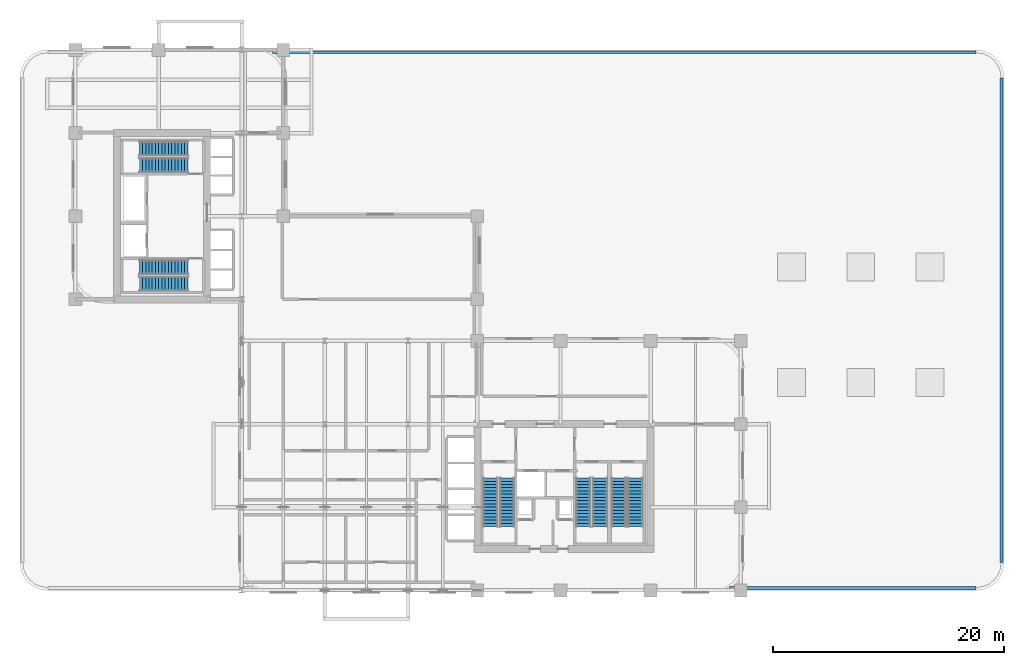
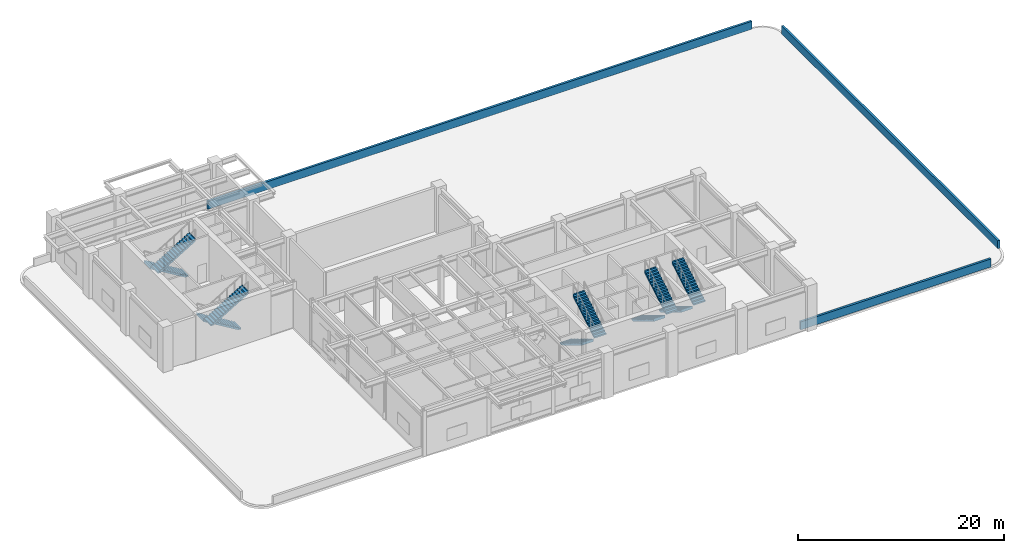
# One storey, part 9 of 14: 10 stair flights, 3 walls, 5 elements without a shape of their own.
"""IFC4 building model written with IfcOpenShell, lengths in metres."""

from ifc_helpers import new_model, si_unit, derived_unit, direction, frame, frame_2d, origin, place, context, subcontext, project, spatial, polyline, rectangle, outline, extrude, source, transform, mapped, material, layer, layer_set, type_object, element, aggregate, save


model = new_model("IFC4")

# Units and contexts
model_context = context("Model", 3, precision=1e-05, world=origin(), true_north=direction((0.0, 1.0)))
body_context = subcontext(model_context, "Body", "Model", "MODEL_VIEW")
ifc_project = project(units=[si_unit("LENGTHUNIT", "METRE"), si_unit("AREAUNIT", "SQUARE_METRE"), si_unit("VOLUMEUNIT", "CUBIC_METRE"), si_unit("PLANEANGLEUNIT", "RADIAN"), si_unit("MASSUNIT", "GRAM", prefix="KILO"), si_unit("THERMODYNAMICTEMPERATUREUNIT", "KELVIN"), si_unit("POWERUNIT", "WATT"), derived_unit("THERMALTRANSMITTANCEUNIT", [(si_unit("POWERUNIT", "WATT"), 1), (si_unit("AREAUNIT", "SQUARE_METRE"), -1), (si_unit("THERMODYNAMICTEMPERATUREUNIT", "KELVIN"), -1)])], contexts=[model_context])

# Site, building, storey
site_placement = place(None, origin())
site = spatial("IfcSite", under=ifc_project, at=site_placement, CompositionType="ELEMENT")
building_placement = place(site_placement, origin())
building = spatial("IfcBuilding", under=site, at=building_placement, Name="Zahravan Archway Hotel and Residences", CompositionType="ELEMENT")
storey_placement = place(building_placement, frame((0.0, 0.0, 27.0)))
storey = spatial("IfcBuildingStorey", under=building, at=storey_placement, Name="L05", CompositionType="ELEMENT", Elevation=27.0)

# Walls
ifc_material_1 = material(Name="Agra Buff Sandstone Coping Wall", Category="masonry")
ifc_layer_1 = layer(ifc_material_1, 0.25, Name="Agra Buff Sandstone Coping Wall", Category="masonry")
ifc_layer_set_1 = layer_set([ifc_layer_1], Name="Agra Buff Sandstone Coping Wall")
wall_type = type_object("IfcWallType", Name="EW-PARA-250", PredefinedType="PARAPET", material=ifc_layer_set_1)
wall_1_placement = place(storey_placement, frame((17.05224609375, 46.60009765625, 0.0), z_axis=(0.0, 0.0, 1.0), x_axis=(1.0, 0.0, 0.0)))
element("IfcWall", 1, at=wall_1_placement, inside=storey, type_object=wall_type, Name="L05 Roof Coping Parapet 1", PredefinedType="PARAPET", context=body_context, shape_type="SweptSolid", body=[
    extrude(rectangle(XDim=60.9345703125, YDim=0.25, at=frame_2d((30.46728515625, 0.0))), origin(), (0.0, 0.0, 1.0), 0.949951171875),
])
wall_2_placement = place(storey_placement, frame((80.199951171875, 44.386962890625, 0.0), z_axis=(0.0, 0.0, 1.0), x_axis=(0.0, -1.0, 0.0)))
element("IfcWall", 2, at=wall_2_placement, inside=storey, type_object=wall_type, Name="L05 Roof Coping Parapet 2", PredefinedType="PARAPET", context=body_context, shape_type="SweptSolid", body=[
    extrude(rectangle(XDim=41.973876953125, YDim=0.25, at=frame_2d((20.98681640625, 0.0))), origin(), (0.0, 0.0, 1.0), 0.949951171875),
])
wall_3_placement = place(storey_placement, frame((77.98681640625, 0.199951171875, 0.0), z_axis=(0.0, 0.0, 1.0), x_axis=(-1.0, 0.0, 0.0)))
element("IfcWall", 3, at=wall_3_placement, inside=storey, type_object=wall_type, Name="L05 Roof Coping Parapet 3", PredefinedType="PARAPET", context=body_context, shape_type="SweptSolid", body=[
    extrude(rectangle(XDim=21.33447265625, YDim=0.25, at=frame_2d((10.667236328125, 0.0))), origin(), (0.0, 0.0, 1.0), 0.949951171875),
])

# Stair, stair flights
ifc_material_2 = material(Name="Concrete C50/60", Category="concrete")
stair_type = type_object("IfcStairType", Name="STR-CORE-1300", PredefinedType="HALF_TURN_STAIR", material=ifc_material_2)
stair_1_placement = place(storey_placement, origin())
stair_1 = element("IfcStair", 4, at=stair_1_placement, inside=storey, type_object=stair_type, Name="L05 Core A Exit Stair 1", PredefinedType="HALF_TURN_STAIR")
ifc_layer_2 = layer(ifc_material_2, 0.199951171875, Name="Concrete C50/60", Category="concrete")
ifc_layer_set_2 = layer_set([ifc_layer_2], Name="Concrete C50/60")
stair_flight_type = type_object("IfcStairFlightType", Name="SFL-CORE-1300", PredefinedType="STRAIGHT", material=ifc_layer_set_2)
shared_shape = source(origin(), body_context, "Body", "SweptSolid", [
    extrude(outline(polyline([(-0.01611328125, 0.0), (-0.01611328125, 0.168701171875), (0.280029296875, 0.168701171875), (0.280029296875, 0.33740234375), (0.56005859375, 0.33740234375), (0.56005859375, 0.50634765625), (0.840087890625, 0.50634765625), (0.840087890625, 0.675048828125), (1.1201171875, 0.675048828125), (1.1201171875, 0.84375), (1.39990234375, 0.84375), (1.39990234375, 1.012451171875), (1.679931640625, 1.012451171875), (1.679931640625, 1.18115234375), (1.9599609375, 1.18115234375), (1.9599609375, 1.35009765625), (2.239990234375, 1.35009765625), (2.239990234375, 1.518798828125), (2.52001953125, 1.518798828125), (2.52001953125, 1.6875), (2.800048828125, 1.6875), (2.800048828125, 1.856201171875), (3.080078125, 1.856201171875), (3.080078125, 2.02490234375), (3.360107421875, 2.02490234375), (3.360107421875, 2.19384765625), (3.639892578125, 2.19384765625), (3.639892578125, 2.362548828125), (3.919921875, 2.362548828125), (3.919921875, 2.53125), (4.199951171875, 2.53125), (4.199951171875, 2.699951171875), (4.216064453125, 2.699951171875), (4.216064453125, 2.356201171875), (0.29052734375, 0.0), (-0.01611328125, 0.0)])), frame((0.0, 0.64990234375, 0.0), z_axis=(0.0, -1.0, 0.0), x_axis=(1.0, 0.0, 0.0)), (0.0, 0.0, 1.0), 1.300048828125),
])
stair_flight_1_placement = place(storey_placement, frame((35.949951171875, 9.72998046875, 0.0), z_axis=(0.0, 0.0, 1.0), x_axis=(0.0, -1.0, 0.0)))
stair_flight_1 = element("IfcStairFlight", 5, at=stair_flight_1_placement, type_object=stair_flight_type, Name="ST-A1 flight 1", NumberOfRisers=16, NumberOfTreads=15, PredefinedType="STRAIGHT", RiserHeight=0.16875, TreadLength=0.28, context=body_context, shape_type="MappedRepresentation", body=[
    mapped(shared_shape, transform((0.0, 0.0, 0.0), scale=1.0)),
])
stair_flight_2_placement = place(storey_placement, frame((37.389892578125, 5.530029296875, 2.699951171875), z_axis=(0.0, 0.0, 1.0), x_axis=(0.0, 1.0, 0.0)))
stair_flight_2 = element("IfcStairFlight", 6, at=stair_flight_2_placement, type_object=stair_flight_type, Name="ST-A1 flight 2", NumberOfRisers=16, NumberOfTreads=15, PredefinedType="STRAIGHT", RiserHeight=0.16875, TreadLength=0.28, context=body_context, shape_type="MappedRepresentation", body=[
    mapped(shared_shape, transform((0.0, 0.0, 0.0), scale=1.0)),
])
aggregate(stair_1, [stair_flight_1, stair_flight_2])

stair_2_placement = place(storey_placement, origin())
stair_2 = element("IfcStair", 7, at=stair_2_placement, inside=storey, type_object=stair_type, Name="L05 Core A Exit Stair 2", PredefinedType="HALF_TURN_STAIR")
stair_flight_3_placement = place(storey_placement, frame((43.969970703125, 9.72998046875, 0.0), z_axis=(0.0, 0.0, 1.0), x_axis=(0.0, -1.0, 0.0)))
stair_flight_3 = element("IfcStairFlight", 8, at=stair_flight_3_placement, type_object=stair_flight_type, Name="ST-A2 flight 1", NumberOfRisers=16, NumberOfTreads=15, PredefinedType="STRAIGHT", RiserHeight=0.16875, TreadLength=0.28, context=body_context, shape_type="MappedRepresentation", body=[
    mapped(shared_shape, transform((0.0, 0.0, 0.0), scale=1.0)),
])
stair_flight_4_placement = place(storey_placement, frame((45.409912109375, 5.530029296875, 2.699951171875), z_axis=(0.0, 0.0, 1.0), x_axis=(0.0, 1.0, 0.0)))
stair_flight_4 = element("IfcStairFlight", 9, at=stair_flight_4_placement, type_object=stair_flight_type, Name="ST-A2 flight 2", NumberOfRisers=16, NumberOfTreads=15, PredefinedType="STRAIGHT", RiserHeight=0.16875, TreadLength=0.28, context=body_context, shape_type="MappedRepresentation", body=[
    mapped(shared_shape, transform((0.0, 0.0, 0.0), scale=1.0)),
])
aggregate(stair_2, [stair_flight_3, stair_flight_4])

stair_3_placement = place(storey_placement, origin())
stair_3 = element("IfcStair", 10, at=stair_3_placement, inside=storey, type_object=stair_type, Name="L05 Core A Exit Stair 3", PredefinedType="HALF_TURN_STAIR")
stair_flight_5_placement = place(storey_placement, frame((47.050048828125, 9.72998046875, 0.0), z_axis=(0.0, 0.0, 1.0), x_axis=(0.0, -1.0, 0.0)))
stair_flight_5 = element("IfcStairFlight", 11, at=stair_flight_5_placement, type_object=stair_flight_type, Name="ST-A3 flight 1", NumberOfRisers=16, NumberOfTreads=15, PredefinedType="STRAIGHT", RiserHeight=0.16875, TreadLength=0.28, context=body_context, shape_type="MappedRepresentation", body=[
    mapped(shared_shape, transform((0.0, 0.0, 0.0), scale=1.0)),
])
stair_flight_6_placement = place(storey_placement, frame((48.489990234375, 5.530029296875, 2.699951171875), z_axis=(0.0, 0.0, 1.0), x_axis=(0.0, 1.0, 0.0)))
stair_flight_6 = element("IfcStairFlight", 12, at=stair_flight_6_placement, type_object=stair_flight_type, Name="ST-A3 flight 2", NumberOfRisers=16, NumberOfTreads=15, PredefinedType="STRAIGHT", RiserHeight=0.16875, TreadLength=0.28, context=body_context, shape_type="MappedRepresentation", body=[
    mapped(shared_shape, transform((0.0, 0.0, 0.0), scale=1.0)),
])
aggregate(stair_3, [stair_flight_5, stair_flight_6])

stair_4_placement = place(storey_placement, origin())
stair_4 = element("IfcStair", 13, at=stair_4_placement, inside=storey, type_object=stair_type, Name="L05 Core B Exit Stair 1", PredefinedType="HALF_TURN_STAIR")
stair_flight_7_placement = place(storey_placement, frame((9.72998046875, 27.989990234375, 0.0), z_axis=(0.0, 0.0, 1.0), x_axis=(-1.0, 0.0, 0.0)))
stair_flight_7 = element("IfcStairFlight", 14, at=stair_flight_7_placement, type_object=stair_flight_type, Name="ST-B1 flight 1", NumberOfRisers=16, NumberOfTreads=15, PredefinedType="STRAIGHT", RiserHeight=0.16875, TreadLength=0.28, context=body_context, shape_type="MappedRepresentation", body=[
    mapped(shared_shape, transform((0.0, 0.0, 0.0), scale=1.0)),
])
stair_flight_8_placement = place(storey_placement, frame((5.530029296875, 26.550048828125, 2.699951171875), z_axis=(0.0, 0.0, 1.0), x_axis=(1.0, 0.0, 0.0)))
stair_flight_8 = element("IfcStairFlight", 15, at=stair_flight_8_placement, type_object=stair_flight_type, Name="ST-B1 flight 2", NumberOfRisers=16, NumberOfTreads=15, PredefinedType="STRAIGHT", RiserHeight=0.16875, TreadLength=0.28, context=body_context, shape_type="MappedRepresentation", body=[
    mapped(shared_shape, transform((0.0, 0.0, 0.0), scale=1.0)),
])
aggregate(stair_4, [stair_flight_7, stair_flight_8])

stair_5_placement = place(storey_placement, origin())
stair_5 = element("IfcStair", 16, at=stair_5_placement, inside=storey, type_object=stair_type, Name="L05 Core B Exit Stair 2", PredefinedType="HALF_TURN_STAIR")
stair_flight_9_placement = place(storey_placement, frame((9.72998046875, 38.25, 0.0), z_axis=(0.0, 0.0, 1.0), x_axis=(-1.0, 0.0, 0.0)))
stair_flight_9 = element("IfcStairFlight", 17, at=stair_flight_9_placement, type_object=stair_flight_type, Name="ST-B2 flight 1", NumberOfRisers=16, NumberOfTreads=15, PredefinedType="STRAIGHT", RiserHeight=0.16875, TreadLength=0.28, context=body_context, shape_type="MappedRepresentation", body=[
    mapped(shared_shape, transform((0.0, 0.0, 0.0), scale=1.0)),
])
stair_flight_10_placement = place(storey_placement, frame((5.530029296875, 36.81005859375, 2.699951171875), z_axis=(0.0, 0.0, 1.0), x_axis=(1.0, 0.0, 0.0)))
stair_flight_10 = element("IfcStairFlight", 18, at=stair_flight_10_placement, type_object=stair_flight_type, Name="ST-B2 flight 2", NumberOfRisers=16, NumberOfTreads=15, PredefinedType="STRAIGHT", RiserHeight=0.16875, TreadLength=0.28, context=body_context, shape_type="MappedRepresentation", body=[
    mapped(shared_shape, transform((0.0, 0.0, 0.0), scale=1.0)),
])
aggregate(stair_5, [stair_flight_9, stair_flight_10])

save(model, "model.ifc")
